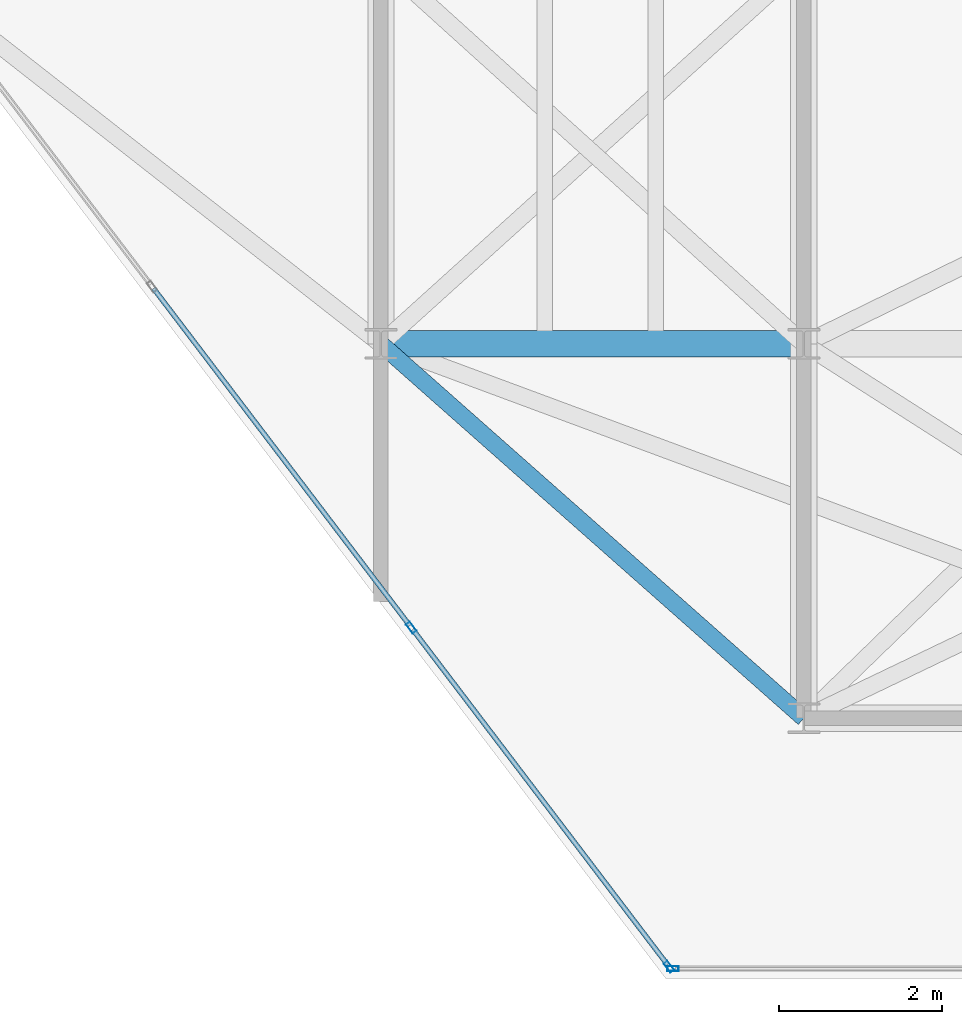
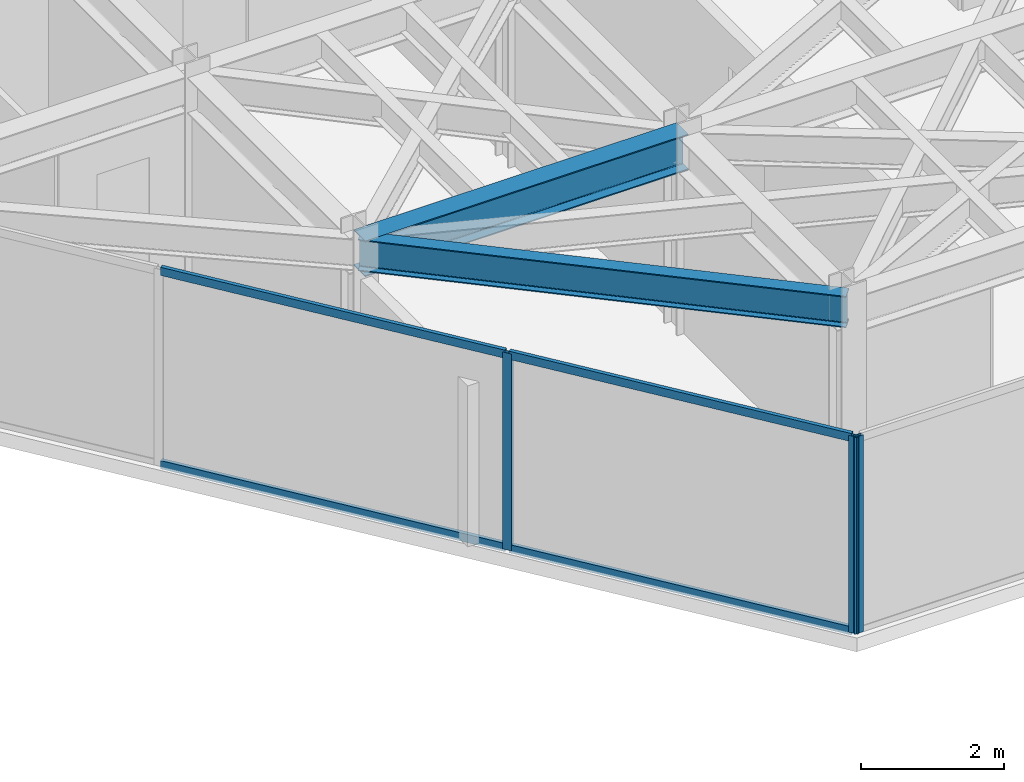
# One storey, part 5 of 17: 7 members, 2 beams, 2 elements without a shape of their own.
"""IFC4 building model written with IfcOpenShell, lengths in metres."""

from ifc_helpers import new_model, si_unit, direction, frame, origin, origin_2d, place, context, subcontext, project, spatial, hollow_rectangle, i_section, extrude, material, layer, layer_set, material_profile, profile_set, type_object, element, aggregate, save


model = new_model("IFC4")

# Units and contexts
model_context = context("Model", 3, precision=1e-05, world=origin(), true_north=direction((0.0, 1.0)))
body_context = subcontext(model_context, "Body", "Model", "MODEL_VIEW")
ifc_project = project(units=[si_unit("LENGTHUNIT", "METRE"), si_unit("AREAUNIT", "SQUARE_METRE"), si_unit("VOLUMEUNIT", "CUBIC_METRE"), si_unit("PLANEANGLEUNIT", "RADIAN"), si_unit("MASSUNIT", "GRAM", prefix="KILO")], contexts=[model_context])

# Site, building, storey
site_placement = place(None, origin())
site = spatial("IfcSite", under=ifc_project, at=site_placement, CompositionType="ELEMENT")
building_placement = place(site_placement, origin())
building = spatial("IfcBuilding", under=site, at=building_placement, Name="Kravanh Interchange Tower", CompositionType="ELEMENT")
storey_placement = place(building_placement, frame((0.0, 0.0, 293.10009765625)))
storey = spatial("IfcBuildingStorey", under=building, at=storey_placement, Name="L72", CompositionType="ELEMENT", Elevation=293.10009765625)

# Curtain wall, member
ifc_material_1 = material(Name="Anodised Bronze Aluminium", Category="aluminium")
ifc_layer = layer(ifc_material_1, 0.179931640625)
ifc_layer_set = layer_set([ifc_layer], Name="Unitised Curtain Wall System CW-HTL Luxury Hotel")
curtain_wall_type = type_object("IfcCurtainWallType", Name="Unitised Curtain Wall System CW-HTL Luxury Hotel", PredefinedType="NOTDEFINED", material=ifc_layer_set)
curtain_wall_1_placement = place(storey_placement, origin())
curtain_wall_1 = element("IfcCurtainWall", 1, at=curtain_wall_1_placement, inside=storey, type_object=curtain_wall_type, Name="L72 Unitised Curtain Wall CW-L72-03", PredefinedType="NOTDEFINED")
ifc_material_2 = material(Name="Anodised Bronze Aluminium", Category="aluminium")
ifc_material_profile_1 = material_profile(ifc_material_2, hollow_rectangle(XDim=0.06005859375, YDim=0.139892578125, WallThickness=0.00390625, at=origin_2d()), Name="ALU60X140X4")
ifc_profile_set_1 = profile_set([ifc_material_profile_1], Name="Anodised Bronze Aluminium")
member_type_1 = type_object("IfcMemberType", Name="Curtain Wall Mullion ALU60X140X4 Bronze", PredefinedType="MULLION", material=ifc_profile_set_1)
member_1_placement = place(storey_placement, frame((54.389404296875, 19.1201171875, 0.0), z_axis=(0.0, 0.0, 1.0), x_axis=(0.0, -1.0, 0.0)))
member_1 = element("IfcMember", 2, at=member_1_placement, type_object=member_type_1, Name="CW-HTL mullion 3", PredefinedType="MULLION", context=body_context, shape_type="SweptSolid", body=[
    extrude(hollow_rectangle(XDim=0.06005859375, YDim=0.139892578125, WallThickness=0.00390625, at=origin_2d()), origin(), (0.0, 0.0, 1.0), 3.349853515625),
])
aggregate(curtain_wall_1, [member_1])

# Curtain wall, members
curtain_wall_2_placement = place(storey_placement, origin())
curtain_wall_2 = element("IfcCurtainWall", 3, at=curtain_wall_2_placement, inside=storey, type_object=curtain_wall_type, Name="L72 Unitised Curtain Wall CW-L72-04", PredefinedType="NOTDEFINED")
member_2_placement = place(storey_placement, frame((54.34130859375, 19.143798828125, 0.0), z_axis=(0.0, 0.0, 1.0), x_axis=(-0.79616243806, -0.605082946564, 0.0)))
member_2 = element("IfcMember", 4, at=member_2_placement, type_object=member_type_1, Name="CW-HTL mullion 1", PredefinedType="MULLION", context=body_context, shape_type="SweptSolid", body=[
    extrude(hollow_rectangle(XDim=0.06005859375, YDim=0.139892578125, WallThickness=0.00390625, at=origin_2d()), origin(), (0.0, 0.0, 1.0), 3.349853515625),
])
member_3_placement = place(storey_placement, frame((51.173095703125, 23.312744140625, 0.0), z_axis=(0.0, 0.0, 1.0), x_axis=(-0.79616243806, -0.605082946564, 0.0)))
member_3 = element("IfcMember", 5, at=member_3_placement, type_object=member_type_1, Name="CW-HTL mullion 2", PredefinedType="MULLION", context=body_context, shape_type="SweptSolid", body=[
    extrude(hollow_rectangle(XDim=0.06005859375, YDim=0.139892578125, WallThickness=0.00390625, at=origin_2d()), origin(), (0.0, 0.0, 1.0), 3.349853515625),
])
ifc_material_3 = material(Name="Anodised Bronze Aluminium", Category="aluminium")
ifc_material_profile_2 = material_profile(ifc_material_3, hollow_rectangle(XDim=0.06005859375, YDim=0.139892578125, WallThickness=0.00390625, at=origin_2d()), Name="ALU60X140X4")
ifc_profile_set_2 = profile_set([ifc_material_profile_2], Name="Anodised Bronze Aluminium")
member_type_2 = type_object("IfcMemberType", Name="Curtain Wall Transom ALU60X140X4 Bronze", PredefinedType="USERDEFINED", material=ifc_profile_set_2)
member_4_placement = place(storey_placement, frame((54.3232421875, 19.167724609375, 0.02978515625), z_axis=(-0.605089246946, 0.796157649734, 0.0), x_axis=(-0.796157649734, -0.605089246946, 0.0)))
member_4 = element("IfcMember", 6, at=member_4_placement, type_object=member_type_2, Name="CW-HTL transom 1.1", ObjectType="TRANSOM", PredefinedType="USERDEFINED", context=body_context, shape_type="SweptSolid", body=[
    extrude(hollow_rectangle(XDim=0.06005859375, YDim=0.139892578125, WallThickness=0.00390625, at=origin_2d()), origin(), (0.0, 0.0, 1.0), 5.17626953125),
])
member_5_placement = place(storey_placement, frame((54.3232421875, 19.167724609375, 3.31982421875), z_axis=(-0.605089246946, 0.796157649734, 0.0), x_axis=(-0.796157649734, -0.605089246946, 0.0)))
member_5 = element("IfcMember", 7, at=member_5_placement, type_object=member_type_2, Name="CW-HTL transom 1.2", ObjectType="TRANSOM", PredefinedType="USERDEFINED", context=body_context, shape_type="SweptSolid", body=[
    extrude(hollow_rectangle(XDim=0.06005859375, YDim=0.139892578125, WallThickness=0.00390625, at=origin_2d()), origin(), (0.0, 0.0, 1.0), 5.17626953125),
])
member_6_placement = place(storey_placement, frame((51.15478515625, 23.336669921875, 0.02978515625), z_axis=(-0.605074944506, 0.796168519555, 0.0), x_axis=(-0.796168519555, -0.605074944506, 0.0)))
member_6 = element("IfcMember", 8, at=member_6_placement, type_object=member_type_2, Name="CW-HTL transom 2.1", ObjectType="TRANSOM", PredefinedType="USERDEFINED", context=body_context, shape_type="SweptSolid", body=[
    extrude(hollow_rectangle(XDim=0.06005859375, YDim=0.139892578125, WallThickness=0.00390625, at=origin_2d()), origin(), (0.0, 0.0, 1.0), 5.206298828125),
])
member_7_placement = place(storey_placement, frame((51.15478515625, 23.336669921875, 3.31982421875), z_axis=(-0.605074944506, 0.796168519555, 0.0), x_axis=(-0.796168519555, -0.605074944506, 0.0)))
member_7 = element("IfcMember", 9, at=member_7_placement, type_object=member_type_2, Name="CW-HTL transom 2.2", ObjectType="TRANSOM", PredefinedType="USERDEFINED", context=body_context, shape_type="SweptSolid", body=[
    extrude(hollow_rectangle(XDim=0.06005859375, YDim=0.139892578125, WallThickness=0.00390625, at=origin_2d()), origin(), (0.0, 0.0, 1.0), 5.206298828125),
])
aggregate(curtain_wall_2, [member_2, member_3, member_4, member_5, member_6, member_7])

# Beams
ifc_material_4 = material(Name="Structural Steel S355", Category="steel")
ifc_material_profile_3 = material_profile(ifc_material_4, i_section(OverallWidth=0.323974609375, OverallDepth=0.611083984375, WebThickness=0.0126953125, FlangeThickness=0.01904296875, FilletRadius=0.02197265625, at=origin_2d()), Name="W24X104")
ifc_profile_set_3 = profile_set([ifc_material_profile_3], Name="Structural Steel S355")
beam_type_1 = type_object("IfcBeamType", Name="Floor Beam W24X104 Structural Steel S355", PredefinedType="BEAM", material=ifc_profile_set_3)
beam_1_placement = place(storey_placement, frame((50.800048828125, 26.800048828125, 3.04443359375), z_axis=(1.0, 0.0, 0.0), x_axis=(0.0, 1.0, 0.0)))
element("IfcBeam", 10, at=beam_1_placement, inside=storey, type_object=beam_type_1, Name="L72 Primary Floor Girder 25", PredefinedType="BEAM", context=body_context, shape_type="SweptSolid", body=[
    extrude(i_section(OverallWidth=0.323974609375, OverallDepth=0.611083984375, WebThickness=0.0126953125, FlangeThickness=0.01904296875, FilletRadius=0.02197265625, at=origin_2d()), origin(), (0.0, 0.0, 1.0), 5.199951171875),
])
ifc_material_5 = material(Name="Structural Steel S355", Category="steel")
ifc_material_profile_4 = material_profile(ifc_material_5, i_section(OverallWidth=0.2099609375, OverallDepth=0.537109375, WebThickness=0.010986328125, FlangeThickness=0.017333984375, FilletRadius=0.02001953125, at=origin_2d()), Name="W21X68")
ifc_profile_set_4 = profile_set([ifc_material_profile_4], Name="Structural Steel S355")
beam_type_2 = type_object("IfcBeamType", Name="Floor Spandrel W21X68 Structural Steel S355", PredefinedType="SPANDREL", material=ifc_profile_set_4)
beam_2_placement = place(storey_placement, frame((50.800048828125, 26.800048828125, 3.081298828125), z_axis=(0.74898649432, -0.662585263439, 0.0), x_axis=(0.662585263439, 0.74898649432, 0.0)))
element("IfcBeam", 11, at=beam_2_placement, inside=storey, type_object=beam_type_2, Name="L72 Perimeter Spandrel 26", PredefinedType="SPANDREL", context=body_context, shape_type="SweptSolid", body=[
    extrude(i_section(OverallWidth=0.2099609375, OverallDepth=0.537109375, WebThickness=0.010986328125, FlangeThickness=0.017333984375, FilletRadius=0.02001953125, at=origin_2d()), origin(), (0.0, 0.0, 1.0), 6.942626953125),
])

save(model, "model.ifc")
